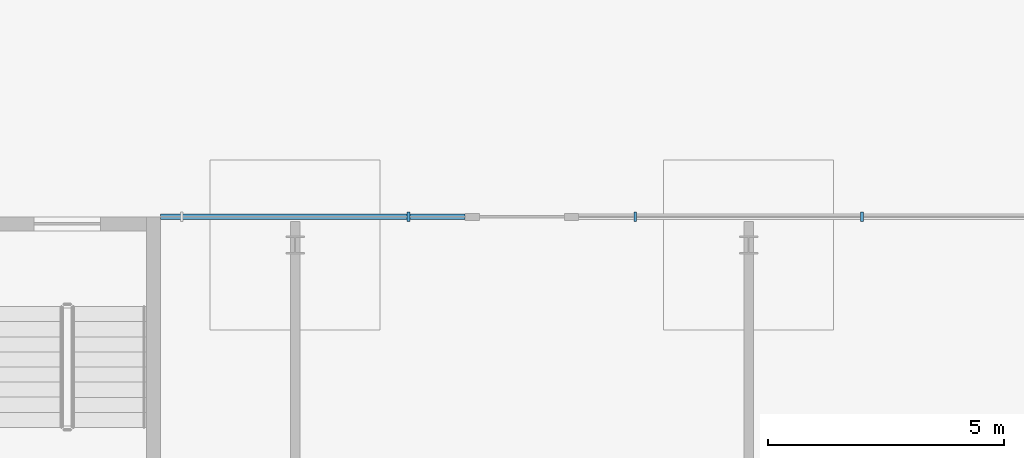
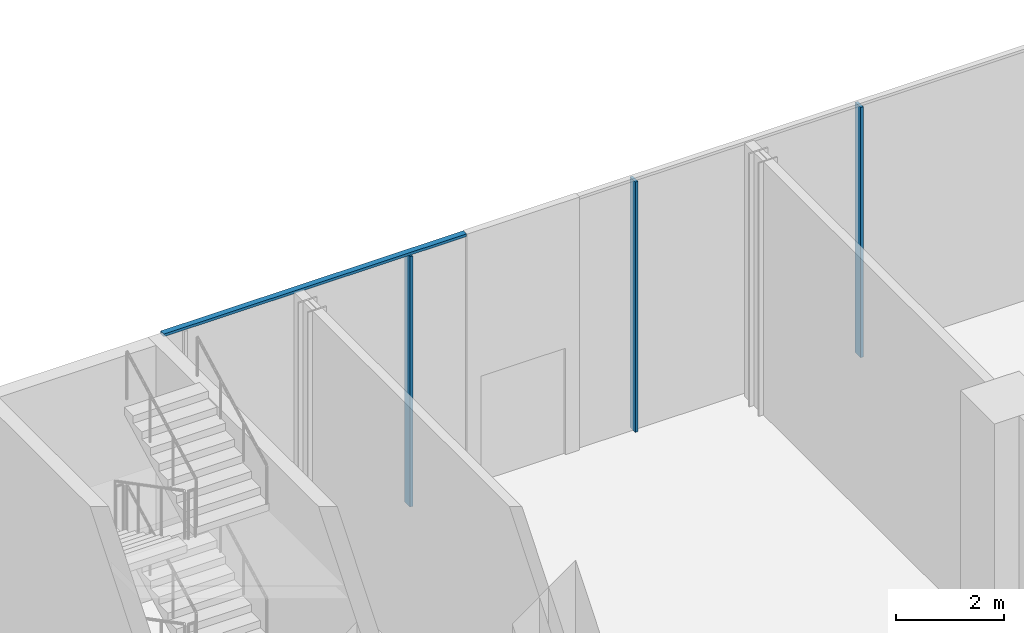
# One storey, part 16 of 44: 4 members, 1 element without a shape of its own.
"""IFC4 building model written with IfcOpenShell, lengths in metres."""

import ifcopenshell
import ifcopenshell.guid

model = None  # the IFC model being written
_history = None  # IfcOwnerHistory: only IFC2X3 demands one
_inside = {}  # id of a spatial element -> (the spatial element, [elements in it])
_under = {}  # id of a project, library or spatial element -> (it, [spatial elements below it])
_declared = {}  # id of a project -> (the project, [libraries it declares])
_typed = {}  # id of a type object -> (the type object, [elements of that type])
_made_of = {}  # id of a material, layer set ... -> (it, [elements and type objects made of it])


def new_model(schema):
    """Start an empty IFC model of exactly this schema.

    Asked for "IFC4X3", IfcOpenShell would pick the latest addendum, in which some entities
    have other attributes; the version numbers below select the first issue.
    IFC2X3 requires an IfcOwnerHistory on every rooted entity: one is made here for all.
    """
    global model, _history
    if schema == "IFC4X3":
        model = ifcopenshell.file(schema_version=(4, 3, 0, 0))
    else:
        model = ifcopenshell.file(schema=schema)
    _inside.clear()
    _under.clear()
    _declared.clear()
    _typed.clear()
    _made_of.clear()
    _history = None
    if model.schema == "IFC2X3":
        org = make("IfcOrganization", Name="unknown")
        user = make(
            "IfcPersonAndOrganization",
            ThePerson=make("IfcPerson", FamilyName="unknown"),
            TheOrganization=org,
        )
        app = make(
            "IfcApplication",
            ApplicationDeveloper=org,
            Version="unknown",
            ApplicationFullName="unknown",
            ApplicationIdentifier="unknown",
        )
        _history = make(
            "IfcOwnerHistory",
            OwningUser=user,
            OwningApplication=app,
            ChangeAction="ADDED",
            CreationDate=0,
        )
    return model


def make(cls, **values):
    """One entity of the class cls with the attributes given. An attribute that is None is left unset."""
    return model.create_entity(
        cls, **{name: value for name, value in values.items() if value is not None}
    )


def rooted(cls, **values):
    """An entity with a GlobalId (a new one), such as an element, a storey or a relation."""
    return make(cls, GlobalId=ifcopenshell.guid.new(), OwnerHistory=_history, **values)


def si_unit(unit_type, name, prefix=None):
    """IfcSIUnit, for example si_unit("LENGTHUNIT", "METRE", prefix="MILLI")."""
    return make("IfcSIUnit", UnitType=unit_type, Prefix=prefix, Name=name)


def assignment(units):
    """IfcUnitAssignment: the units of a project."""
    return None if units is None else make("IfcUnitAssignment", Units=units)


def point(xyz):
    """IfcCartesianPoint."""
    return None if xyz is None else make("IfcCartesianPoint", Coordinates=xyz)


def direction(xyz):
    """IfcDirection."""
    return None if xyz is None else make("IfcDirection", DirectionRatios=xyz)


def frame(location, z_axis=None, x_axis=None):
    """IfcAxis2Placement3D, a coordinate frame: its origin and axes. An axis left out is left unset."""
    return make(
        "IfcAxis2Placement3D",
        Location=point(location),
        Axis=direction(z_axis),
        RefDirection=direction(x_axis),
    )


def frame_2d(location, x_axis=None):
    """IfcAxis2Placement2D, a coordinate frame in the plane: its origin and x axis."""
    return make(
        "IfcAxis2Placement2D", Location=point(location), RefDirection=direction(x_axis)
    )


def origin():
    """The frame at (0, 0, 0) with its axes left unset."""
    return frame((0.0, 0.0, 0.0))


def origin_2d():
    """The frame at (0, 0) in the plane with its x axis left unset."""
    return frame_2d((0.0, 0.0))


def place(relative_to, where):
    """IfcLocalPlacement: puts the frame where relative to a parent placement (None: the world)."""
    return make(
        "IfcLocalPlacement", PlacementRelTo=relative_to, RelativePlacement=where
    )


def context(
    kind, dimensions, precision=None, world=None, true_north=None, identifier=None
):
    """IfcGeometricRepresentationContext, for example the 3D "Model" context."""
    return make(
        "IfcGeometricRepresentationContext",
        ContextIdentifier=identifier,
        ContextType=kind,
        CoordinateSpaceDimension=dimensions,
        Precision=precision,
        WorldCoordinateSystem=world,
        TrueNorth=true_north,
    )


def subcontext(parent, identifier, kind, view, scale=None):
    """IfcGeometricRepresentationSubContext, for example "Body" below "Model"."""
    return make(
        "IfcGeometricRepresentationSubContext",
        ContextIdentifier=identifier,
        ContextType=kind,
        ParentContext=parent,
        TargetScale=scale,
        TargetView=view,
    )


def project(units=None, contexts=None):
    """IfcProject with its units and contexts."""
    return rooted(
        "IfcProject",
        Name="project",
        RepresentationContexts=contexts,
        UnitsInContext=assignment(units),
    )


def spatial(cls, under=None, at=None, **own):
    """A site, building, storey or space (cls), placed at a placement, below another one or the project."""
    s = rooted(cls, ObjectPlacement=at, **own)
    if under is not None:
        _under.setdefault(under.id(), (under, []))[1].append(s)
    return s


def profile(cls, at=None, kind="AREA", **sizes):
    """A parametric profile (cls). Its sizes go by their IFC names, for example OverallWidth=200.0."""
    return make(cls, ProfileType=kind, Position=at, **sizes)


def rectangle(**sizes):
    """IfcRectangleProfileDef."""
    return profile("IfcRectangleProfileDef", **sizes)


def extrude(swept, where, along, depth):
    """IfcExtrudedAreaSolid: the profile swept, set in the frame where, extruded along a direction by depth."""
    return make(
        "IfcExtrudedAreaSolid",
        SweptArea=swept,
        Position=where,
        ExtrudedDirection=direction(along),
        Depth=depth,
    )


def shape(context_of_items, identifier, shape_type, items):
    """IfcShapeRepresentation: the items that make up one representation, for example the "Body"."""
    return make(
        "IfcShapeRepresentation",
        ContextOfItems=context_of_items,
        RepresentationIdentifier=identifier,
        RepresentationType=shape_type,
        Items=items,
    )


def material(Name=None, Category=None):
    """IfcMaterial."""
    return make("IfcMaterial", Name=Name, Category=Category)


def layer(
    of_material, thickness, ventilated=None, Name=None, Category=None, Priority=None
):
    """IfcMaterialLayer: one layer of a wall or slab, of a material (None: an air gap)."""
    return make(
        "IfcMaterialLayer",
        Material=of_material,
        LayerThickness=thickness,
        IsVentilated=ventilated,
        Name=Name,
        Category=Category,
        Priority=Priority,
    )


def layer_set(layers, Name=None):
    """IfcMaterialLayerSet."""
    return make("IfcMaterialLayerSet", MaterialLayers=layers, LayerSetName=Name)


def material_profile(
    of_material, cross_section, Name=None, Category=None, Priority=None
):
    """IfcMaterialProfile: a cross section and its material."""
    return make(
        "IfcMaterialProfile",
        Name=Name,
        Material=of_material,
        Profile=cross_section,
        Priority=Priority,
        Category=Category,
    )


def profile_set(profiles, Name=None, composite=None):
    """IfcMaterialProfileSet."""
    return make(
        "IfcMaterialProfileSet",
        Name=Name,
        MaterialProfiles=profiles,
        CompositeProfile=composite,
    )


def made_of(thing, what):
    """Note that an element or type object is made of a material, layer set ...; save() writes the relation."""
    if what is not None:
        _made_of.setdefault(what.id(), (what, []))[1].append(thing)
    return thing


def type_object(cls, material=None, **own):
    """A type object (cls), such as IfcWallType, which elements share."""
    return made_of(rooted(cls, **own), material)


def element(
    cls,
    number,
    at=None,
    inside=None,
    cuts=None,
    type_object=None,
    material=None,
    context=None,
    identifier="Body",
    shape_type=None,
    held_by="IfcProductDefinitionShape",
    body=None,
    shapes=None,
    **own,
):
    """One element of the class cls, such as IfcWall. Its Tag is "e" and its number.

    at: its placement. inside: the storey or other place that contains it. cuts: it is an
    opening in that element (IfcRelVoidsElement). A single representation is given by context,
    identifier, shape_type and body (its items); several are given by shapes. held_by: the class
    of the entity that holds the representations. save() writes the other relations.
    """
    e = rooted(cls, Tag="e%d" % number, ObjectPlacement=at, **own)
    if body is not None:
        shapes = [shape(context, identifier, shape_type, body)]
    if shapes is not None:
        e.Representation = make(held_by, Representations=shapes)
    if inside is not None:
        _inside.setdefault(inside.id(), (inside, []))[1].append(e)
    if cuts is not None:
        rooted(
            "IfcRelVoidsElement", RelatingBuildingElement=cuts, RelatedOpeningElement=e
        )
    if type_object is not None:
        _typed.setdefault(type_object.id(), (type_object, []))[1].append(e)
    return made_of(e, material)


def aggregate(whole, parts):
    """IfcRelAggregates: a whole, such as a stair, and the parts it consists of."""
    return rooted("IfcRelAggregates", RelatingObject=whole, RelatedObjects=parts)


def save(model, path):
    """Write the relations noted so far, then the file.

    IfcRelAggregates (storeys below a building ...), IfcRelContainedInSpatialStructure (elements
    in a storey), IfcRelDefinesByType, IfcRelAssociatesMaterial and IfcRelDeclares: one each for
    every whole, place, type object, material and project.
    """
    for whole, parts in _under.values():
        aggregate(whole, parts)
    for where, things in _inside.values():
        rooted(
            "IfcRelContainedInSpatialStructure",
            RelatedElements=things,
            RelatingStructure=where,
        )
    for kind, things in _typed.values():
        rooted("IfcRelDefinesByType", RelatedObjects=things, RelatingType=kind)
    for what, things in _made_of.values():
        rooted("IfcRelAssociatesMaterial", RelatedObjects=things, RelatingMaterial=what)
    for by, libraries in _declared.values():
        rooted("IfcRelDeclares", RelatingContext=by, RelatedDefinitions=libraries)
    model.write(path)


model = new_model("IFC4")

# Units and contexts
model_context = context("Model", 3, precision=1e-05, world=origin(), true_north=direction((0.0, 1.0)))
body_context = subcontext(model_context, "Body", "Model", "MODEL_VIEW")
ifc_project = project(units=[si_unit("LENGTHUNIT", "METRE"), si_unit("AREAUNIT", "SQUARE_METRE"), si_unit("VOLUMEUNIT", "CUBIC_METRE"), si_unit("PLANEANGLEUNIT", "RADIAN"), si_unit("MASSUNIT", "GRAM", prefix="KILO")], contexts=[model_context])

# Site, building, storey
site_placement = place(None, origin())
site = spatial("IfcSite", under=ifc_project, at=site_placement, CompositionType="ELEMENT")
building_placement = place(site_placement, origin())
building = spatial("IfcBuilding", under=site, at=building_placement, Name="Madar Terraces", CompositionType="ELEMENT")
storey_placement = place(building_placement, origin())
storey = spatial("IfcBuildingStorey", under=building, at=storey_placement, Name="L00", CompositionType="ELEMENT", Elevation=0.0)

# Curtain wall, members
ifc_material_1 = material(Name="Glass, clear low-iron, with black aluminium frame", Category="aluminium")
ifc_layer = layer(ifc_material_1, 0.199951171875)
ifc_layer_set = layer_set([ifc_layer], Name="Facade curtain wall, shopfront glazing")
curtain_wall_type = type_object("IfcCurtainWallType", Name="Facade curtain wall, shopfront glazing", PredefinedType="NOTDEFINED", material=ifc_layer_set)
curtain_wall_placement = place(storey_placement, origin())
curtain_wall = element("IfcCurtainWall", 1, at=curtain_wall_placement, inside=storey, type_object=curtain_wall_type, Name="Outer skin curtain wall north bay 1", PredefinedType="NOTDEFINED")
ifc_material_2 = material(Name="Aluminium, black anodised", Category="aluminium")
ifc_material_profile_1 = material_profile(ifc_material_2, rectangle(XDim=0.199951171875, YDim=0.06005859375, at=origin_2d()), Name="Facade mullion 60x200")
ifc_profile_set_1 = profile_set([ifc_material_profile_1], Name="Aluminium, black anodised")
member_type_1 = type_object("IfcMemberType", Name="Facade mullion 60x200", PredefinedType="MULLION", material=ifc_profile_set_1)
member_1_placement = place(storey_placement, frame((55.199951171875, 57.60009765625, 0.0), z_axis=(0.0, 0.0, 1.0), x_axis=(0.0, -1.0, 0.0)))
member_1 = element("IfcMember", 2, at=member_1_placement, type_object=member_type_1, Name="Mullion 2", PredefinedType="MULLION", context=body_context, shape_type="SweptSolid", body=[
    extrude(rectangle(XDim=0.199951171875, YDim=0.06005859375, at=origin_2d()), origin(), (0.0, 0.0, 1.0), 5.639892578125),
])
member_2_placement = place(storey_placement, frame((50.39990234375, 57.60009765625, 0.0), z_axis=(0.0, 0.0, 1.0), x_axis=(0.0, -1.0, 0.0)))
member_2 = element("IfcMember", 3, at=member_2_placement, type_object=member_type_1, Name="Mullion 3", PredefinedType="MULLION", context=body_context, shape_type="SweptSolid", body=[
    extrude(rectangle(XDim=0.199951171875, YDim=0.06005859375, at=origin_2d()), origin(), (0.0, 0.0, 1.0), 5.639892578125),
])
member_3_placement = place(storey_placement, frame((45.60009765625, 57.60009765625, 0.0), z_axis=(0.0, 0.0, 1.0), x_axis=(0.0, -1.0, 0.0)))
member_3 = element("IfcMember", 4, at=member_3_placement, type_object=member_type_1, Name="Mullion 4", PredefinedType="MULLION", context=body_context, shape_type="SweptSolid", body=[
    extrude(rectangle(XDim=0.199951171875, YDim=0.06005859375, at=origin_2d()), origin(), (0.0, 0.0, 1.0), 5.639892578125),
])
ifc_material_3 = material(Name="Aluminium, black anodised", Category="aluminium")
ifc_material_profile_2 = material_profile(ifc_material_3, rectangle(XDim=0.1201171875, YDim=0.06005859375, at=origin_2d()), Name="Facade transom 60x120")
ifc_profile_set_2 = profile_set([ifc_material_profile_2], Name="Aluminium, black anodised")
member_type_2 = type_object("IfcMemberType", Name="Facade transom 60x120", PredefinedType="USERDEFINED", material=ifc_profile_set_2)
member_4_placement = place(storey_placement, frame((46.800048828125, 57.60009765625, 5.669921875), z_axis=(-1.0, 0.0, 0.0), x_axis=(0.0, -1.0, 0.0)))
member_4 = element("IfcMember", 5, at=member_4_placement, type_object=member_type_2, Name="Transom 2", ObjectType="TRANSOM", PredefinedType="USERDEFINED", context=body_context, shape_type="SweptSolid", body=[
    extrude(rectangle(XDim=0.1201171875, YDim=0.06005859375, at=origin_2d()), origin(), (0.0, 0.0, 1.0), 6.449951171875),
])
aggregate(curtain_wall, [member_1, member_2, member_3, member_4])

save(model, "model.ifc")
